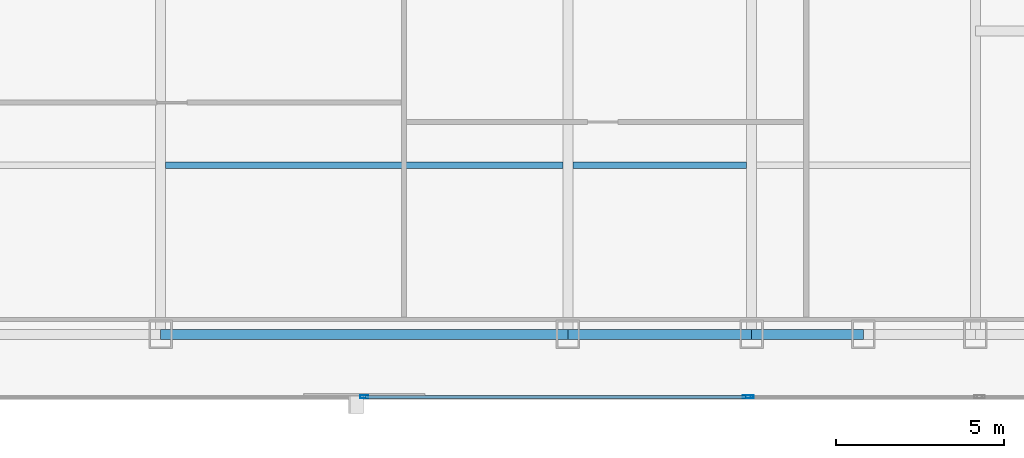
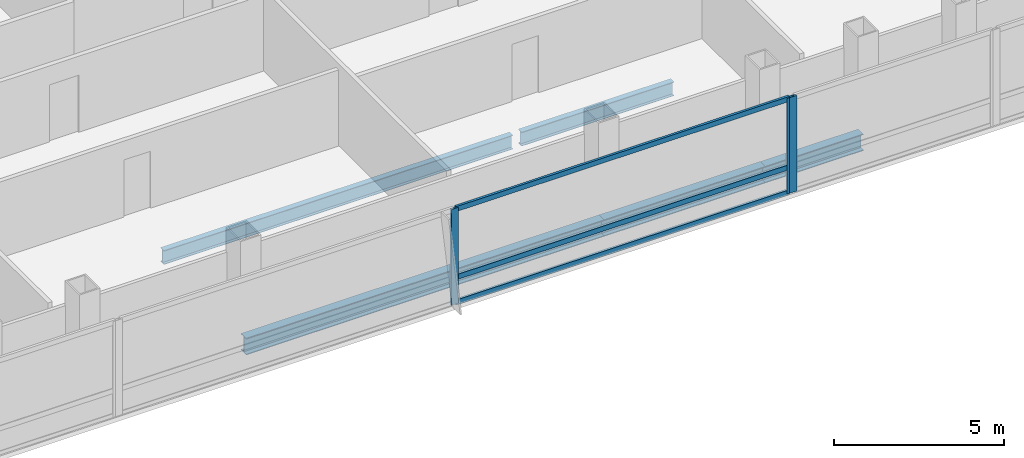
# One storey, part 13 of 29: 6 members, 5 beams, 2 elements without a shape of their own.
"""IFC4 building model written with IfcOpenShell, lengths in metres."""

from ifc_helpers import new_model, si_unit, direction, frame, origin, origin_2d, place, context, subcontext, project, spatial, hollow_rectangle, i_section, extrude, material, material_profile, profile_set, type_object, element, aggregate, save


model = new_model("IFC4")

# Units and contexts
model_context = context("Model", 3, precision=1e-05, world=origin(), true_north=direction((0.0, 1.0)))
body_context = subcontext(model_context, "Body", "Model", "MODEL_VIEW")
ifc_project = project(units=[si_unit("LENGTHUNIT", "METRE"), si_unit("AREAUNIT", "SQUARE_METRE"), si_unit("VOLUMEUNIT", "CUBIC_METRE"), si_unit("PLANEANGLEUNIT", "RADIAN"), si_unit("MASSUNIT", "GRAM", prefix="KILO")], contexts=[model_context])

# Site, building, storey
site_placement = place(None, origin())
site = spatial("IfcSite", under=ifc_project, at=site_placement, CompositionType="ELEMENT")
building_placement = place(site_placement, origin())
building = spatial("IfcBuilding", under=site, at=building_placement, Name="Khoronbel Lancet Exchange", CompositionType="ELEMENT")
storey_placement = place(building_placement, frame((0.0, 0.0, 161.39990234375)))
storey = spatial("IfcBuildingStorey", under=building, at=storey_placement, Name="L40", CompositionType="ELEMENT", Elevation=161.39990234375)

# Beams
ifc_material_1 = material(Name="Steel S355", Category="steel")
ifc_material_profile_1 = material_profile(ifc_material_1, i_section(OverallWidth=0.199951171875, OverallDepth=0.5, WebThickness=0.01025390625, FlangeThickness=0.01611328125, at=origin_2d()), Name="IPE 500")
ifc_profile_set_1 = profile_set([ifc_material_profile_1], Name="Steel S355")
beam_type_1 = type_object("IfcBeamType", Name="BM-BJ3", PredefinedType="JOIST", material=ifc_profile_set_1)
beam_1_placement = place(storey_placement, frame((30.52490234375, 15.199951171875, -0.409912109375), z_axis=(1.0, 0.0, 0.0), x_axis=(0.0, 1.0, 0.0)))
element("IfcBeam", 1, at=beam_1_placement, inside=storey, type_object=beam_type_1, Name="Level L40 secondary composite joist J03", PredefinedType="JOIST", context=body_context, shape_type="SweptSolid", body=[
    extrude(i_section(OverallWidth=0.199951171875, OverallDepth=0.5, WebThickness=0.01025390625, FlangeThickness=0.01611328125, at=origin_2d()), origin(), (0.0, 0.0, 1.0), 11.85009765625),
])
beam_2_placement = place(storey_placement, frame((42.675048828125, 15.199951171875, -0.409912109375), z_axis=(1.0, 0.0, 0.0), x_axis=(0.0, 1.0, 0.0)))
element("IfcBeam", 2, at=beam_2_placement, inside=storey, type_object=beam_type_1, Name="Level L40 secondary composite joist J04", PredefinedType="JOIST", context=body_context, shape_type="SweptSolid", body=[
    extrude(i_section(OverallWidth=0.199951171875, OverallDepth=0.5, WebThickness=0.01025390625, FlangeThickness=0.01611328125, at=origin_2d()), origin(), (0.0, 0.0, 1.0), 5.175048828125),
])
ifc_material_profile_2 = material_profile(ifc_material_1, i_section(OverallWidth=0.300048828125, OverallDepth=0.60009765625, WebThickness=0.015380859375, FlangeThickness=0.030029296875, at=origin_2d()), Name="HEB 600")
ifc_profile_set_2 = profile_set([ifc_material_profile_2], Name="Steel S355")
beam_type_2 = type_object("IfcBeamType", Name="BM-BSP2", PredefinedType="SPANDREL", material=ifc_profile_set_2)
beam_3_placement = place(storey_placement, frame((30.375, 10.14990234375, -0.4599609375), z_axis=(1.0, 0.0, 0.0), x_axis=(0.0, 1.0, 0.0)))
element("IfcBeam", 3, at=beam_3_placement, inside=storey, type_object=beam_type_2, Name="Level L40 perimeter spandrel beam SP05", PredefinedType="SPANDREL", context=body_context, shape_type="SweptSolid", body=[
    extrude(i_section(OverallWidth=0.300048828125, OverallDepth=0.60009765625, WebThickness=0.015380859375, FlangeThickness=0.030029296875, at=origin_2d()), origin(), (0.0, 0.0, 1.0), 12.14990234375),
])
beam_4_placement = place(storey_placement, frame((42.52490234375, 10.14990234375, -0.4599609375), z_axis=(1.0, 0.0, 0.0), x_axis=(0.0, 1.0, 0.0)))
element("IfcBeam", 4, at=beam_4_placement, inside=storey, type_object=beam_type_2, Name="Level L40 perimeter spandrel beam SP06", PredefinedType="SPANDREL", context=body_context, shape_type="SweptSolid", body=[
    extrude(i_section(OverallWidth=0.300048828125, OverallDepth=0.60009765625, WebThickness=0.015380859375, FlangeThickness=0.030029296875, at=origin_2d()), origin(), (0.0, 0.0, 1.0), 5.47509765625),
])
beam_5_placement = place(storey_placement, frame((48.0, 10.14990234375, -0.4599609375), z_axis=(1.0, 0.0, 0.0), x_axis=(0.0, 1.0, 0.0)))
element("IfcBeam", 5, at=beam_5_placement, inside=storey, type_object=beam_type_2, Name="Level L40 perimeter spandrel beam SP07", PredefinedType="SPANDREL", context=body_context, shape_type="SweptSolid", body=[
    extrude(i_section(OverallWidth=0.300048828125, OverallDepth=0.60009765625, WebThickness=0.015380859375, FlangeThickness=0.030029296875, at=origin_2d()), origin(), (0.0, 0.0, 1.0), 3.33740234375),
])

# Curtain wall, members
ifc_material_2 = material(Name="Low-E Solar Control Insulating Glass", Category="glass")
curtain_wall_type = type_object("IfcCurtainWallType", Name="CW-3", PredefinedType="NOTDEFINED", material=ifc_material_2)
curtain_wall_1_placement = place(storey_placement, origin())
curtain_wall_1 = element("IfcCurtainWall", 6, at=curtain_wall_1_placement, inside=storey, type_object=curtain_wall_type, Name="Unitised curtain wall CW-L40-SCV", PredefinedType="NOTDEFINED")
ifc_material_3 = material(Name="Bronze-Anodised Aluminium 6063-T6", Category="aluminium")
ifc_material_profile_3 = material_profile(ifc_material_3, hollow_rectangle(XDim=0.0849609375, YDim=0.239990234375, WallThickness=0.006103515625, at=origin_2d()), Name="ALU MULLION 85x240")
ifc_profile_set_3 = profile_set([ifc_material_profile_3], Name="Bronze-Anodised Aluminium 6063-T6")
member_type_1 = type_object("IfcMemberType", Name="MEM-CWM1", PredefinedType="MULLION", material=ifc_profile_set_3)
member_1_placement = place(storey_placement, frame((36.449951171875, 8.2900390625, 0.0), z_axis=(0.0, 0.0, 1.0), x_axis=(0.0, 1.0, 0.0)))
member_1 = element("IfcMember", 7, at=member_1_placement, type_object=member_type_1, Name="CW3 mullion 2", PredefinedType="MULLION", context=body_context, shape_type="SweptSolid", body=[
    extrude(hollow_rectangle(XDim=0.0849609375, YDim=0.239990234375, WallThickness=0.006103515625, at=origin_2d()), origin(), (0.0, 0.0, 1.0), 3.440185546875),
])
member_2_placement = place(storey_placement, frame((47.857421875, 8.2900390625, 0.0), z_axis=(0.0, 0.0, 1.0), x_axis=(0.0, 1.0, 0.0)))
member_2 = element("IfcMember", 8, at=member_2_placement, type_object=member_type_1, Name="CW3 mullion 3", PredefinedType="MULLION", context=body_context, shape_type="SweptSolid", body=[
    extrude(hollow_rectangle(XDim=0.0849609375, YDim=0.239990234375, WallThickness=0.006103515625, at=origin_2d()), origin(), (0.0, 0.0, 1.0), 3.440185546875),
])

# Curtain wall, member
curtain_wall_2_placement = place(storey_placement, origin())
curtain_wall_2 = element("IfcCurtainWall", 9, at=curtain_wall_2_placement, inside=storey, type_object=curtain_wall_type, Name="Unitised curtain wall CW-L40-SEB", PredefinedType="NOTDEFINED")
member_3_placement = place(storey_placement, frame((47.9423828125, 8.2900390625, 0.0), z_axis=(0.0, 0.0, 1.0), x_axis=(0.0, 1.0, 0.0)))
member_3 = element("IfcMember", 10, at=member_3_placement, type_object=member_type_1, Name="CW3 mullion 1", PredefinedType="MULLION", context=body_context, shape_type="SweptSolid", body=[
    extrude(hollow_rectangle(XDim=0.0849609375, YDim=0.239990234375, WallThickness=0.006103515625, at=origin_2d()), origin(), (0.0, 0.0, 1.0), 3.440185546875),
])
aggregate(curtain_wall_2, [member_3])

# Member
ifc_material_profile_4 = material_profile(ifc_material_3, hollow_rectangle(XDim=0.0849609375, YDim=0.179931640625, WallThickness=0.0048828125, at=origin_2d()), Name="ALU TRANSOM 85x180")
ifc_profile_set_4 = profile_set([ifc_material_profile_4], Name="Bronze-Anodised Aluminium 6063-T6")
member_type_2 = type_object("IfcMemberType", Name="MEM-CWT1", PredefinedType="USERDEFINED", material=ifc_profile_set_4)
member_4_placement = place(storey_placement, frame((36.492431640625, 8.2900390625, 0.04248046875), z_axis=(1.0, 0.0, 0.0), x_axis=(0.0, 1.0, 0.0)))
member_4 = element("IfcMember", 11, at=member_4_placement, type_object=member_type_2, Name="CW3 transom 2.1", ObjectType="TRANSOM", PredefinedType="USERDEFINED", context=body_context, shape_type="SweptSolid", body=[
    extrude(hollow_rectangle(XDim=0.0849609375, YDim=0.179931640625, WallThickness=0.0048828125, at=origin_2d()), origin(), (0.0, 0.0, 1.0), 11.322509765625),
])

member_5_placement = place(storey_placement, frame((36.492431640625, 8.2900390625, 0.9501953125), z_axis=(1.0, 0.0, 0.0), x_axis=(0.0, 1.0, 0.0)))
member_5 = element("IfcMember", 12, at=member_5_placement, type_object=member_type_2, Name="CW3 transom 2.2", ObjectType="TRANSOM", PredefinedType="USERDEFINED", context=body_context, shape_type="SweptSolid", body=[
    extrude(hollow_rectangle(XDim=0.0849609375, YDim=0.179931640625, WallThickness=0.0048828125, at=origin_2d()), origin(), (0.0, 0.0, 1.0), 11.322509765625),
])

member_6_placement = place(storey_placement, frame((36.492431640625, 8.2900390625, 3.397705078125), z_axis=(1.0, 0.0, 0.0), x_axis=(0.0, 1.0, 0.0)))
member_6 = element("IfcMember", 13, at=member_6_placement, type_object=member_type_2, Name="CW3 transom 2.3", ObjectType="TRANSOM", PredefinedType="USERDEFINED", context=body_context, shape_type="SweptSolid", body=[
    extrude(hollow_rectangle(XDim=0.0849609375, YDim=0.179931640625, WallThickness=0.0048828125, at=origin_2d()), origin(), (0.0, 0.0, 1.0), 11.322509765625),
])

aggregate(curtain_wall_1, [member_1, member_2, member_4, member_5, member_6])

save(model, "model.ifc")
